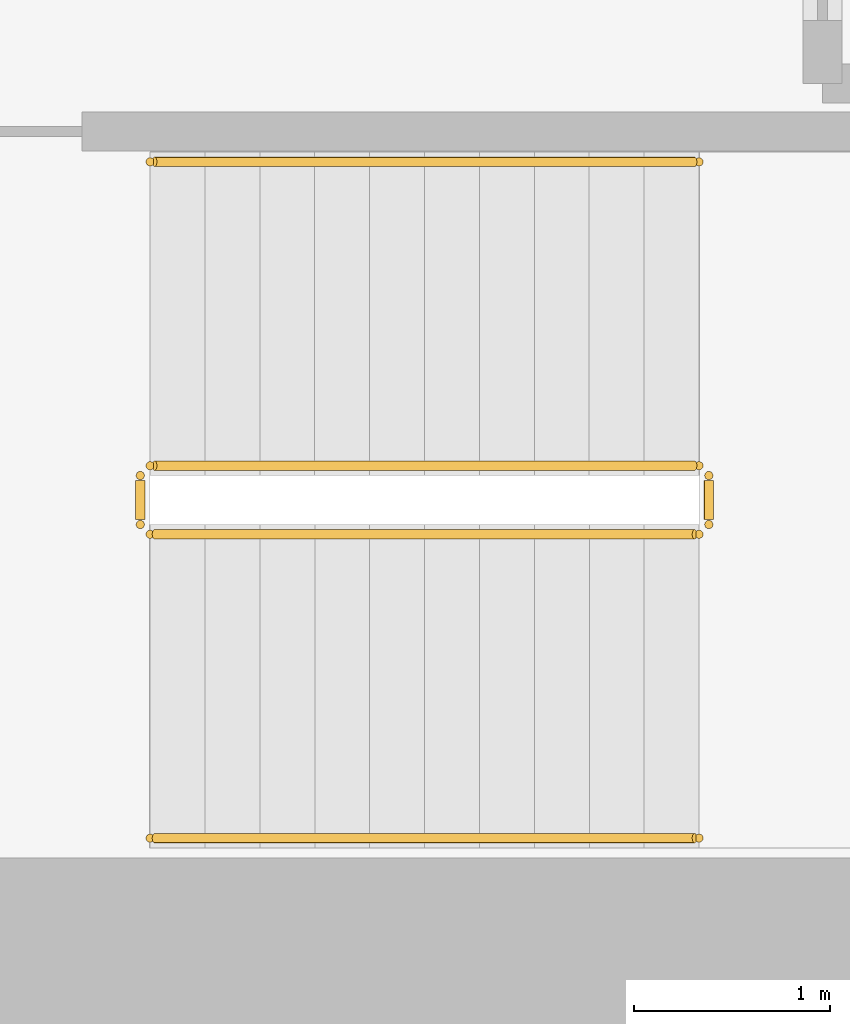
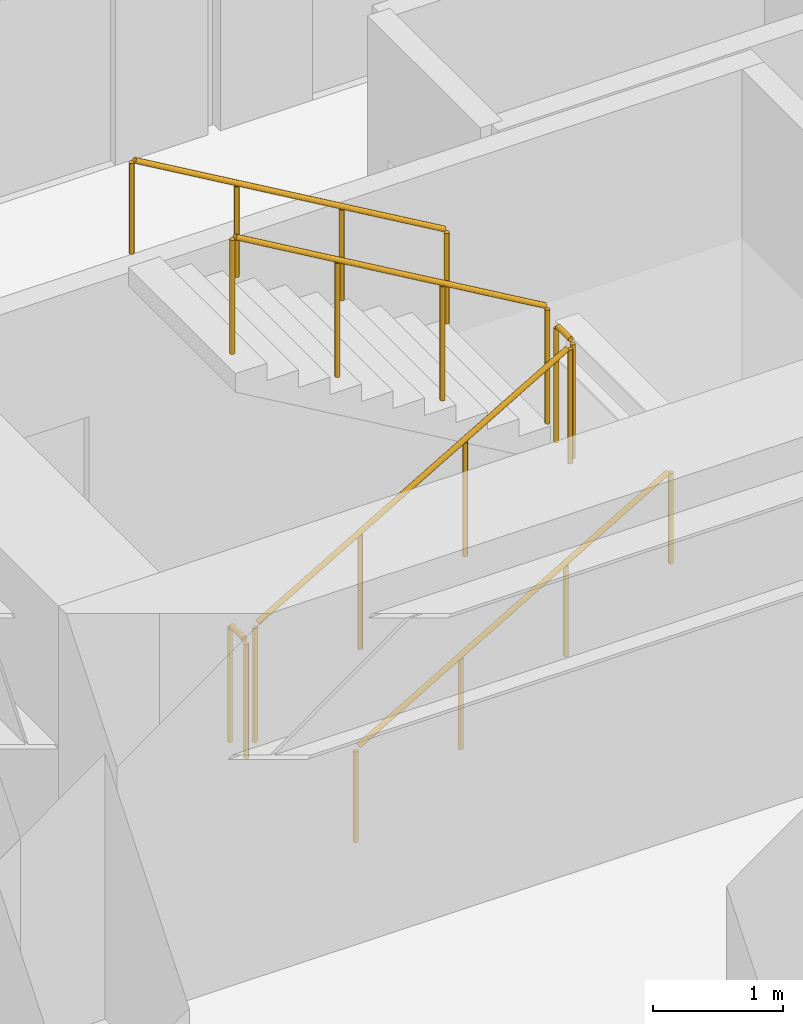
# One storey, part 13 of 13: 6 railings.
"""IFC4 building model written with IfcOpenShell, lengths in metres."""

from ifc_helpers import new_model, si_unit, direction, frame, origin, origin_2d, place, context, subcontext, project, spatial, circle, extrude, source, transform, mapped, material, layer, layer_set, type_object, element, save


model = new_model("IFC4")

# Units and contexts
model_context = context("Model", 3, precision=1e-05, world=origin(), true_north=direction((0.0, 1.0)))
body_context = subcontext(model_context, "Body", "Model", "MODEL_VIEW")
ifc_project = project(units=[si_unit("LENGTHUNIT", "METRE"), si_unit("AREAUNIT", "SQUARE_METRE"), si_unit("VOLUMEUNIT", "CUBIC_METRE"), si_unit("PLANEANGLEUNIT", "RADIAN"), si_unit("MASSUNIT", "GRAM", prefix="KILO")], contexts=[model_context])

# Site, building, storey
site_placement = place(None, origin())
site = spatial("IfcSite", under=ifc_project, at=site_placement, CompositionType="ELEMENT")
building_placement = place(site_placement, origin())
building = spatial("IfcBuilding", under=site, at=building_placement, Name="Kharzan Plaza Tower", CompositionType="ELEMENT")
storey_placement = place(building_placement, frame((0.0, 0.0, 47.699951171875)))
storey = spatial("IfcBuildingStorey", under=building, at=storey_placement, Name="L12", CompositionType="ELEMENT", Elevation=47.699951171875)

# Railings
ifc_material_1 = material(Name="Painted Galvanized Architectural Steel", Category="steel")
ifc_layer_1 = layer(ifc_material_1, 0.074951171875)
ifc_layer_set_1 = layer_set([ifc_layer_1], Name="Painted Galvanized Architectural Steel")
railing_type_1 = type_object("IfcRailingType", Name="RL-GUARD-1120", PredefinedType="BALUSTRADE", material=ifc_layer_set_1)
shared_shape_1 = source(origin(), body_context, "Body", "SweptSolid", [
    extrude(circle(Radius=0.02392578125, at=origin_2d()), frame((0.0, 0.0263671875, 1.09619140625), z_axis=(0.0, 1.0, 0.0), x_axis=(-1.0, 0.0, 0.0)), (0.0, 0.0, 1.0), 0.197021484375),
    extrude(circle(Radius=0.02099609375, at=origin_2d()), origin(), (0.0, 0.0, 1.0), 1.072021484375),
    extrude(circle(Radius=0.02099609375, at=origin_2d()), frame((0.0, 0.25, 0.0)), (0.0, 0.0, 1.0), 1.072021484375),
])
for number, where, name in (
    (1, (41.10009765625, 6.64990234375, 1.800048828125), "L12 ST-3 stair guard 2"),
    (2, (38.199951171875, 6.64990234375, 0.0), "L12 ST-3 stair guard 4"),
):
    element("IfcRailing", number, at=place(storey_placement, frame(where)), inside=storey, type_object=railing_type_1, Name=name, PredefinedType="BALUSTRADE", context=body_context, shape_type="MappedRepresentation", body=[
        mapped(shared_shape_1, transform((0.0, 0.0, 0.0), x_axis=(1.0, 0.0, 0.0), y_axis=(0.0, 1.0, 0.0), z_axis=(0.0, 0.0, 1.0))),
    ])
shared_shape_2 = source(origin(), body_context, "Body", "SweptSolid", [
    extrude(circle(Radius=0.02392578125, at=origin_2d()), frame((0.02294921875, 0.0, 1.109375), z_axis=(0.863360870873, 0.0, 0.504586966384), x_axis=(0.0, 1.0, 0.0)), (0.0, 0.0, 1.0), 3.190185546875),
    extrude(circle(Radius=0.02099609375, at=origin_2d()), origin(), (0.0, 0.0, 1.0), 1.072021484375),
    extrude(circle(Radius=0.02099609375, at=origin_2d()), frame((0.933349609375, 0.0, 0.54541015625)), (0.0, 0.0, 1.0), 1.072021484375),
    extrude(circle(Radius=0.02099609375, at=origin_2d()), frame((1.86669921875, 0.0, 1.091064453125)), (0.0, 0.0, 1.0), 1.072021484375),
    extrude(circle(Radius=0.02099609375, at=origin_2d()), frame((2.800048828125, 0.0, 1.636474609375)), (0.0, 0.0, 1.0), 1.072021484375),
])
railing_1_placement = place(storey_placement, frame((38.25, 6.60009765625, 0.16357421875)))
element("IfcRailing", 3, at=railing_1_placement, inside=storey, type_object=railing_type_1, Name="L12 ST-3 stair guard 1", PredefinedType="BALUSTRADE", context=body_context, shape_type="MappedRepresentation", body=[
    mapped(shared_shape_2, transform((0.0, 0.0, 0.0), x_axis=(1.0, 0.0, 0.0), y_axis=(0.0, 1.0, 0.0), z_axis=(0.0, 0.0, 1.0))),
])
shared_shape_3 = source(origin(), body_context, "Body", "SweptSolid", [
    extrude(circle(Radius=0.02392578125, at=origin_2d()), frame((-0.02294921875, 0.0, 1.109375), z_axis=(-0.863360870873, 0.0, 0.504586966384), x_axis=(0.0, -1.0, 0.0)), (0.0, 0.0, 1.0), 3.190185546875),
    extrude(circle(Radius=0.02099609375, at=origin_2d()), origin(), (0.0, 0.0, 1.0), 1.072021484375),
    extrude(circle(Radius=0.02099609375, at=origin_2d()), frame((-0.933349609375, 0.0, 0.54541015625)), (0.0, 0.0, 1.0), 1.072021484375),
    extrude(circle(Radius=0.02099609375, at=origin_2d()), frame((-1.86669921875, 0.0, 1.091064453125)), (0.0, 0.0, 1.0), 1.072021484375),
    extrude(circle(Radius=0.02099609375, at=origin_2d()), frame((-2.800048828125, 0.0, 1.636474609375)), (0.0, 0.0, 1.0), 1.072021484375),
])
railing_2_placement = place(storey_placement, frame((41.050048828125, 6.949951171875, 1.963623046875)))
element("IfcRailing", 4, at=railing_2_placement, inside=storey, type_object=railing_type_1, Name="L12 ST-3 stair guard 3", PredefinedType="BALUSTRADE", context=body_context, shape_type="MappedRepresentation", body=[
    mapped(shared_shape_3, transform((0.0, 0.0, 0.0), x_axis=(1.0, 0.0, 0.0), y_axis=(0.0, 1.0, 0.0), z_axis=(0.0, 0.0, 1.0))),
])
ifc_material_2 = material(Name="Brushed Stainless Steel", Category="steel")
ifc_layer_2 = layer(ifc_material_2, 0.050048828125)
ifc_layer_set_2 = layer_set([ifc_layer_2], Name="Brushed Stainless Steel")
railing_type_2 = type_object("IfcRailingType", Name="RL-STAIR-HR920", PredefinedType="HANDRAIL", material=ifc_layer_set_2)
shared_shape_4 = source(origin(), body_context, "Body", "SweptSolid", [
    extrude(circle(Radius=0.02392578125, at=origin_2d()), frame((0.02294921875, 0.0, 0.88916015625), z_axis=(0.863360870873, 0.0, 0.504586966384), x_axis=(0.0, 1.0, 0.0)), (0.0, 0.0, 1.0), 3.190185546875),
    extrude(circle(Radius=0.02099609375, at=origin_2d()), origin(), (0.0, 0.0, 1.0), 0.851806640625),
    extrude(circle(Radius=0.02099609375, at=origin_2d()), frame((0.933349609375, 0.0, 0.54541015625)), (0.0, 0.0, 1.0), 0.851806640625),
    extrude(circle(Radius=0.02099609375, at=origin_2d()), frame((1.86669921875, 0.0, 1.091064453125)), (0.0, 0.0, 1.0), 0.851806640625),
    extrude(circle(Radius=0.02099609375, at=origin_2d()), frame((2.800048828125, 0.0, 1.636474609375)), (0.0, 0.0, 1.0), 0.851806640625),
])
railing_3_placement = place(storey_placement, frame((38.25, 5.050048828125, 0.16357421875)))
element("IfcRailing", 5, at=railing_3_placement, inside=storey, type_object=railing_type_2, Name="L12 ST-3 stair handrail 1", PredefinedType="HANDRAIL", context=body_context, shape_type="MappedRepresentation", body=[
    mapped(shared_shape_4, transform((0.0, 0.0, 0.0), x_axis=(1.0, 0.0, 0.0), y_axis=(0.0, 1.0, 0.0), z_axis=(0.0, 0.0, 1.0))),
])
shared_shape_5 = source(origin(), body_context, "Body", "SweptSolid", [
    extrude(circle(Radius=0.02392578125, at=origin_2d()), frame((-0.02294921875, 0.0, 0.88916015625), z_axis=(-0.863360870873, 0.0, 0.504586966384), x_axis=(0.0, -1.0, 0.0)), (0.0, 0.0, 1.0), 3.190185546875),
    extrude(circle(Radius=0.02099609375, at=origin_2d()), origin(), (0.0, 0.0, 1.0), 0.851806640625),
    extrude(circle(Radius=0.02099609375, at=origin_2d()), frame((-0.933349609375, 0.0, 0.54541015625)), (0.0, 0.0, 1.0), 0.851806640625),
    extrude(circle(Radius=0.02099609375, at=origin_2d()), frame((-1.86669921875, 0.0, 1.091064453125)), (0.0, 0.0, 1.0), 0.851806640625),
    extrude(circle(Radius=0.02099609375, at=origin_2d()), frame((-2.800048828125, 0.0, 1.636474609375)), (0.0, 0.0, 1.0), 0.851806640625),
])
railing_4_placement = place(storey_placement, frame((41.050048828125, 8.5, 1.963623046875)))
element("IfcRailing", 6, at=railing_4_placement, inside=storey, type_object=railing_type_2, Name="L12 ST-3 stair handrail 2", PredefinedType="HANDRAIL", context=body_context, shape_type="MappedRepresentation", body=[
    mapped(shared_shape_5, transform((0.0, 0.0, 0.0), x_axis=(1.0, 0.0, 0.0), y_axis=(0.0, 1.0, 0.0), z_axis=(0.0, 0.0, 1.0))),
])

save(model, "model.ifc")
